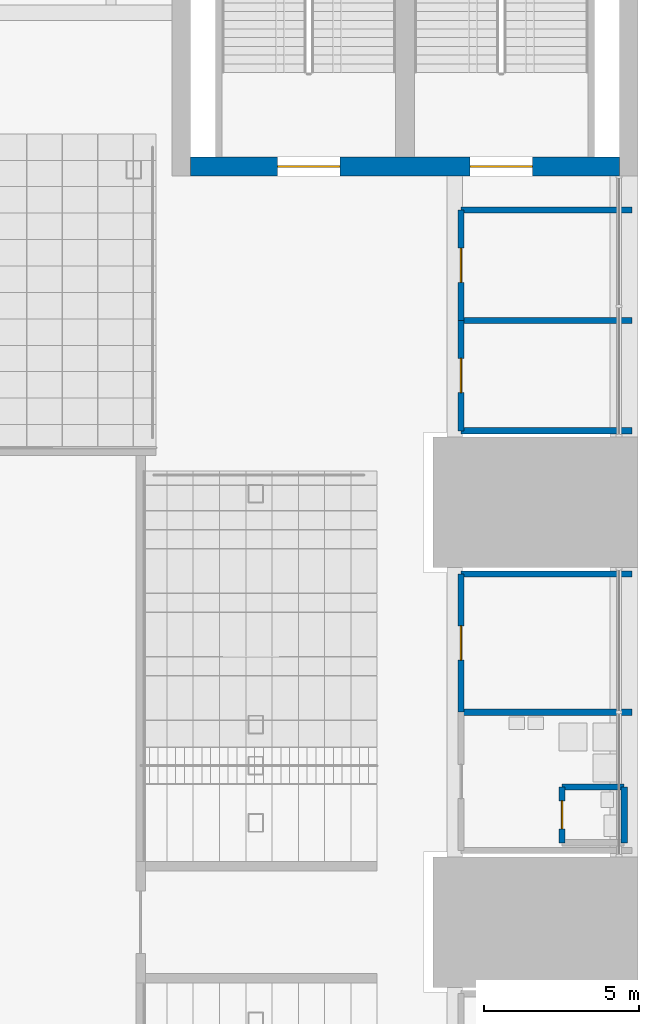
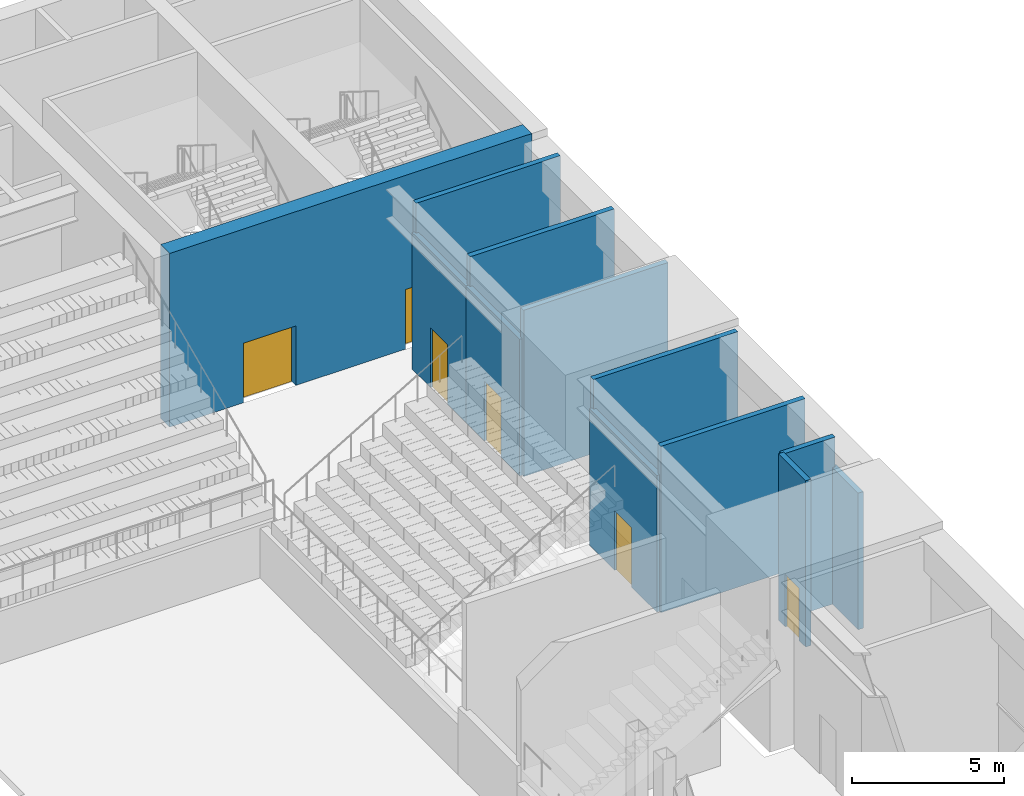
# One storey, part 38 of 62: 12 walls, 6 doors, 6 openings.
"""IFC4 building model written with IfcOpenShell, lengths in metres."""

from ifc_helpers import new_model, si_unit, direction, frame, frame_2d, origin, place, context, subcontext, project, spatial, rectangle, extrude, material, layer, layer_set, type_object, element, fill, save


model = new_model("IFC4")

# Units and contexts
model_context = context("Model", 3, precision=1e-05, world=origin(), true_north=direction((0.0, 1.0)))
body_context = subcontext(model_context, "Body", "Model", "MODEL_VIEW")
ifc_project = project(units=[si_unit("LENGTHUNIT", "METRE"), si_unit("AREAUNIT", "SQUARE_METRE"), si_unit("VOLUMEUNIT", "CUBIC_METRE"), si_unit("PLANEANGLEUNIT", "RADIAN"), si_unit("MASSUNIT", "GRAM", prefix="KILO")], contexts=[model_context])

# Site, building, storey
site_placement = place(None, origin())
site = spatial("IfcSite", under=ifc_project, at=site_placement, CompositionType="ELEMENT")
building_placement = place(site_placement, origin())
building = spatial("IfcBuilding", under=site, at=building_placement, Name="Corbelhall Arena Tower", CompositionType="ELEMENT")
storey_placement = place(building_placement, frame((0.0, 0.0, 12.0)))
storey = spatial("IfcBuildingStorey", under=building, at=storey_placement, Name="L01", CompositionType="ELEMENT", Elevation=12.0)

# Walls
ifc_material_1 = material(Name="Gypsum board on steel studs", Category="steel")
ifc_layer_1 = layer(ifc_material_1, 0.199951171875)
ifc_layer_set_1 = layer_set([ifc_layer_1], Name="AR-ROOM-WALL")
wall_type_1 = type_object("IfcWallType", Name="AR-ROOM-WALL", PredefinedType="PARTITIONING", material=ifc_layer_set_1)
wall_1_placement = place(storey_placement, frame((42.300048828125, 6.75, 0.0), z_axis=(0.0, 0.0, 1.0), x_axis=(1.0, 0.0, 0.0)))
element("IfcWall", 1, at=wall_1_placement, inside=storey, type_object=wall_type_1, Name="Team locker room 1 partition", PredefinedType="PARTITIONING", context=body_context, shape_type="SweptSolid", body=[
    extrude(rectangle(XDim=5.5, YDim=0.199951171875, at=frame_2d((2.75, 0.0))), origin(), (0.0, 0.0, 1.0), 6.699951171875),
])
wall_2_placement = place(storey_placement, frame((47.550048828125, 4.35009765625, 0.0), z_axis=(0.0, 0.0, 1.0), x_axis=(-1.0, 0.0, 0.0)))
element("IfcWall", 2, at=wall_2_placement, inside=storey, type_object=wall_type_1, Name="Team WC 1 wall", PredefinedType="PARTITIONING", context=body_context, shape_type="SweptSolid", body=[
    extrude(rectangle(XDim=2.0, YDim=0.199951171875, at=frame_2d((1.0, 0.0))), origin(), (0.0, 0.0, 1.0), 6.699951171875),
])

# Wall, opening, door
wall_3_placement = place(storey_placement, frame((45.550048828125, 2.550048828125, 0.0), z_axis=(0.0, 0.0, 1.0), x_axis=(0.0, 1.0, 0.0)))
wall_3 = element("IfcWall", 3, at=wall_3_placement, inside=storey, type_object=wall_type_1, Name="Team WC 1 wall", PredefinedType="PARTITIONING", context=body_context, shape_type="SweptSolid", body=[
    extrude(rectangle(XDim=1.800048828125, YDim=0.199951171875, at=frame_2d((0.89990234375, 0.0))), origin(), (0.0, 0.0, 1.0), 6.699951171875),
])
opening_1_placement = place(wall_3_placement, frame((0.449951171875, 0.0, 0.0)))
opening_1 = element("IfcOpeningElement", 4, at=opening_1_placement, cuts=wall_3, Name="Opening DA0342", PredefinedType="OPENING", context=body_context, shape_type="SweptSolid", body=[
    extrude(rectangle(XDim=0.89990234375, YDim=2.10009765625, at=frame_2d((0.449951171875, 1.050048828125))), frame((0.0, 0.10009765625, 0.0), z_axis=(0.0, -1.0, 0.0), x_axis=(1.0, 0.0, 0.0)), (0.0, 0.0, 1.0), 0.199951171875),
])
ifc_material_2 = material(Name="Timber", Category="wood")
door_type_1 = type_object("IfcDoorType", Name="AR-CELL-DOOR", OperationType="SINGLE_SWING_LEFT", PredefinedType="DOOR", material=ifc_material_2)
door_1_placement = place(opening_1_placement, origin())
door_1 = element("IfcDoor", 5, at=door_1_placement, inside=storey, type_object=door_type_1, Name="Team WC 1 door", OperationType="SINGLE_SWING_LEFT", OverallHeight=2.10009765625, OverallWidth=0.89990234375, PredefinedType="DOOR", context=body_context, shape_type="SweptSolid", body=[
    extrude(rectangle(XDim=0.89990234375, YDim=2.10009765625, at=frame_2d((0.449951171875, 1.050048828125))), frame((0.0, 0.02490234375, 0.0), z_axis=(0.0, -1.0, 0.0), x_axis=(1.0, 0.0, 0.0)), (0.0, 0.0, 1.0), 0.050048828125),
])
fill(opening_1, door_1)

# Walls
for number, where, z_axis, x_axis, name in (
    (6, (42.300048828125, 11.199951171875, 0.0), (0.0, 0.0, 1.0), (1.0, 0.0, 0.0), "Officials and referees room 1 end wall"),
    (7, (42.300048828125, 15.800048828125, 0.0), (0.0, 0.0, 1.0), (1.0, 0.0, 0.0), "Event staff room 1 end wall"),
    (8, (42.300048828125, 19.35009765625, 0.0), (0.0, 0.0, 1.0), (1.0, 0.0, 0.0), "Event staff room 1 partition"),
    (9, (42.300048828125, 22.89990234375, 0.0), (0.0, 0.0, 1.0), (1.0, 0.0, 0.0), "Production control room 1 end wall"),
):
    element("IfcWall", number, at=place(storey_placement, frame(where, z_axis=z_axis, x_axis=x_axis)), inside=storey, type_object=wall_type_1, Name=name, PredefinedType="PARTITIONING", context=body_context, shape_type="SweptSolid", body=[
        extrude(rectangle(XDim=5.5, YDim=0.199951171875, at=frame_2d((2.75, 0.0))), origin(), (0.0, 0.0, 1.0), 6.699951171875),
    ])
ifc_layer_2 = layer(ifc_material_1, 0.199951171875)
ifc_layer_set_2 = layer_set([ifc_layer_2], Name="AR-ROOM-WALL under beam 1200 mm")
wall_type_2 = type_object("IfcWallType", Name="AR-ROOM-WALL under beam 1200 mm", PredefinedType="PARTITIONING", material=ifc_layer_set_2)
wall_4_placement = place(storey_placement, frame((47.550048828125, 2.550048828125, 0.0), z_axis=(0.0, 0.0, 1.0), x_axis=(0.0, 1.0, 0.0)))
element("IfcWall", 10, at=wall_4_placement, inside=storey, type_object=wall_type_2, Name="Team WC 1 wall", PredefinedType="PARTITIONING", context=body_context, shape_type="SweptSolid", body=[
    extrude(rectangle(XDim=1.800048828125, YDim=0.199951171875, at=frame_2d((0.89990234375, 0.0))), origin(), (0.0, 0.0, 1.0), 5.5),
])

# Wall, opening, door
wall_5_placement = place(storey_placement, frame((42.300048828125, 6.75, 0.0), z_axis=(0.0, 0.0, 1.0), x_axis=(0.0, 1.0, 0.0)))
wall_5 = element("IfcWall", 11, at=wall_5_placement, inside=storey, type_object=wall_type_2, Name="Officials and referees room 1 wall", PredefinedType="PARTITIONING", context=body_context, shape_type="SweptSolid", body=[
    extrude(rectangle(XDim=4.449951171875, YDim=0.199951171875, at=frame_2d((2.22509765625, 0.0))), origin(), (0.0, 0.0, 1.0), 5.5),
])
opening_2_placement = place(wall_5_placement, frame((1.675048828125, 0.0, 0.0)))
opening_2 = element("IfcOpeningElement", 12, at=opening_2_placement, cuts=wall_5, Name="Opening DA0343", PredefinedType="OPENING", context=body_context, shape_type="SweptSolid", body=[
    extrude(rectangle(XDim=1.10009765625, YDim=2.39990234375, at=frame_2d((0.550048828125, 1.199951171875))), frame((0.0, 0.10009765625, 0.0), z_axis=(0.0, -1.0, 0.0), x_axis=(1.0, 0.0, 0.0)), (0.0, 0.0, 1.0), 0.199951171875),
])
door_type_2 = type_object("IfcDoorType", Name="AR-ROOM-DOOR", OperationType="DOUBLE_DOOR_SINGLE_SWING", PredefinedType="DOOR", material=ifc_material_2)
door_2_placement = place(opening_2_placement, origin())
door_2 = element("IfcDoor", 13, at=door_2_placement, inside=storey, type_object=door_type_2, Name="Officials and referees room 1 door", OperationType="DOUBLE_DOOR_SINGLE_SWING", OverallHeight=2.39990234375, OverallWidth=1.10009765625, PredefinedType="DOOR", context=body_context, shape_type="SweptSolid", body=[
    extrude(rectangle(XDim=1.10009765625, YDim=2.39990234375, at=frame_2d((0.550048828125, 1.199951171875))), frame((0.0, 0.02490234375, 0.0), z_axis=(0.0, -1.0, 0.0), x_axis=(1.0, 0.0, 0.0)), (0.0, 0.0, 1.0), 0.050048828125),
])
fill(opening_2, door_2)

wall_6_placement = place(storey_placement, frame((42.300048828125, 15.800048828125, 0.0), z_axis=(0.0, 0.0, 1.0), x_axis=(0.0, 1.0, 0.0)))
wall_6 = element("IfcWall", 14, at=wall_6_placement, inside=storey, type_object=wall_type_2, Name="Event staff room 1 wall", PredefinedType="PARTITIONING", context=body_context, shape_type="SweptSolid", body=[
    extrude(rectangle(XDim=3.550048828125, YDim=0.199951171875, at=frame_2d((1.77490234375, 0.0))), origin(), (0.0, 0.0, 1.0), 5.5),
])
opening_3_placement = place(wall_6_placement, frame((1.22509765625, 0.0, 0.0)))
opening_3 = element("IfcOpeningElement", 15, at=opening_3_placement, cuts=wall_6, Name="Opening DA0346", PredefinedType="OPENING", context=body_context, shape_type="SweptSolid", body=[
    extrude(rectangle(XDim=1.10009765625, YDim=2.39990234375, at=frame_2d((0.550048828125, 1.199951171875))), frame((0.0, 0.10009765625, 0.0), z_axis=(0.0, -1.0, 0.0), x_axis=(1.0, 0.0, 0.0)), (0.0, 0.0, 1.0), 0.199951171875),
])
door_3_placement = place(opening_3_placement, origin())
door_3 = element("IfcDoor", 16, at=door_3_placement, inside=storey, type_object=door_type_2, Name="Event staff room 1 door", OperationType="DOUBLE_DOOR_SINGLE_SWING", OverallHeight=2.39990234375, OverallWidth=1.10009765625, PredefinedType="DOOR", context=body_context, shape_type="SweptSolid", body=[
    extrude(rectangle(XDim=1.10009765625, YDim=2.39990234375, at=frame_2d((0.550048828125, 1.199951171875))), frame((0.0, 0.02490234375, 0.0), z_axis=(0.0, -1.0, 0.0), x_axis=(1.0, 0.0, 0.0)), (0.0, 0.0, 1.0), 0.050048828125),
])
fill(opening_3, door_3)

wall_7_placement = place(storey_placement, frame((42.300048828125, 19.35009765625, 0.0), z_axis=(0.0, 0.0, 1.0), x_axis=(0.0, 1.0, 0.0)))
wall_7 = element("IfcWall", 17, at=wall_7_placement, inside=storey, type_object=wall_type_2, Name="Production control room 1 wall", PredefinedType="PARTITIONING", context=body_context, shape_type="SweptSolid", body=[
    extrude(rectangle(XDim=3.5498046875, YDim=0.199951171875, at=frame_2d((1.77490234375, 0.0))), origin(), (0.0, 0.0, 1.0), 5.5),
])
opening_4_placement = place(wall_7_placement, frame((1.22509765625, 0.0, 0.0)))
opening_4 = element("IfcOpeningElement", 18, at=opening_4_placement, cuts=wall_7, Name="Opening DA0347", PredefinedType="OPENING", context=body_context, shape_type="SweptSolid", body=[
    extrude(rectangle(XDim=1.10009765625, YDim=2.39990234375, at=frame_2d((0.550048828125, 1.199951171875))), frame((0.0, 0.10009765625, 0.0), z_axis=(0.0, -1.0, 0.0), x_axis=(1.0, 0.0, 0.0)), (0.0, 0.0, 1.0), 0.199951171875),
])
door_4_placement = place(opening_4_placement, origin())
door_4 = element("IfcDoor", 19, at=door_4_placement, inside=storey, type_object=door_type_2, Name="Production control room 1 door", OperationType="DOUBLE_DOOR_SINGLE_SWING", OverallHeight=2.39990234375, OverallWidth=1.10009765625, PredefinedType="DOOR", context=body_context, shape_type="SweptSolid", body=[
    extrude(rectangle(XDim=1.10009765625, YDim=2.39990234375, at=frame_2d((0.550048828125, 1.199951171875))), frame((0.0, 0.02490234375, 0.0), z_axis=(0.0, -1.0, 0.0), x_axis=(1.0, 0.0, 0.0)), (0.0, 0.0, 1.0), 0.050048828125),
])
fill(opening_4, door_4)

# Wall, openings, doors
ifc_material_3 = material(Name="Concrete C80/95", Category="concrete")
ifc_layer_3 = layer(ifc_material_3, 0.60009765625)
ifc_layer_set_3 = layer_set([ifc_layer_3], Name="PO-CORE-WALL")
wall_type_3 = type_object("IfcWallType", Name="PO-CORE-WALL", PredefinedType="SHEAR", material=ifc_layer_set_3)
wall_8_placement = place(storey_placement, frame((33.60009765625, 24.300048828125, 0.0), z_axis=(0.0, 0.0, 1.0), x_axis=(1.0, 0.0, 0.0)))
wall_8 = element("IfcWall", 20, at=wall_8_placement, inside=storey, type_object=wall_type_3, Name="CORE NE WALL S L01", PredefinedType="SHEAR", context=body_context, shape_type="SweptSolid", body=[
    extrude(rectangle(XDim=13.7998046875, YDim=0.60009765625, at=frame_2d((6.89990234375, 0.0))), origin(), (0.0, 0.0, 1.0), 7.0),
])
opening_5_placement = place(wall_8_placement, frame((2.804931640625, 0.0, 0.0)))
opening_5 = element("IfcOpeningElement", 21, at=opening_5_placement, cuts=wall_8, Name="Opening DA0054", PredefinedType="OPENING", context=body_context, shape_type="SweptSolid", body=[
    extrude(rectangle(XDim=2.0, YDim=2.39990234375, at=frame_2d((1.0, 1.199951171875))), frame((0.0, 0.300048828125, 0.0), z_axis=(0.0, -1.0, 0.0), x_axis=(1.0, 0.0, 0.0)), (0.0, 0.0, 1.0), 0.60009765625),
])
opening_6_placement = place(wall_8_placement, frame((8.9951171875, 0.0, 0.0)))
opening_6 = element("IfcOpeningElement", 22, at=opening_6_placement, cuts=wall_8, Name="Opening DA0062", PredefinedType="OPENING", context=body_context, shape_type="SweptSolid", body=[
    extrude(rectangle(XDim=2.0, YDim=2.39990234375, at=frame_2d((1.0, 1.199951171875))), frame((0.0, 0.300048828125, 0.0), z_axis=(0.0, -1.0, 0.0), x_axis=(1.0, 0.0, 0.0)), (0.0, 0.0, 1.0), 0.60009765625),
])
ifc_material_4 = material(Name="Steel and glass", Category="steel")
door_type_3 = type_object("IfcDoorType", Name="AR-STAIR-DOOR", OperationType="DOUBLE_DOOR_SINGLE_SWING", PredefinedType="DOOR", material=ifc_material_4)
door_5_placement = place(opening_5_placement, origin())
door_5 = element("IfcDoor", 23, at=door_5_placement, inside=storey, type_object=door_type_3, Name="Stair AS1 door", OperationType="DOUBLE_DOOR_SINGLE_SWING", OverallHeight=2.39990234375, OverallWidth=2.0, PredefinedType="DOOR", context=body_context, shape_type="SweptSolid", body=[
    extrude(rectangle(XDim=2.0, YDim=2.39990234375, at=frame_2d((1.0, 1.199951171875))), frame((0.0, 0.02490234375, 0.0), z_axis=(0.0, -1.0, 0.0), x_axis=(1.0, 0.0, 0.0)), (0.0, 0.0, 1.0), 0.050048828125),
])
fill(opening_5, door_5)
door_6_placement = place(opening_6_placement, origin())
door_6 = element("IfcDoor", 24, at=door_6_placement, inside=storey, type_object=door_type_3, Name="Stair AS2 door", OperationType="DOUBLE_DOOR_SINGLE_SWING", OverallHeight=2.39990234375, OverallWidth=2.0, PredefinedType="DOOR", context=body_context, shape_type="SweptSolid", body=[
    extrude(rectangle(XDim=2.0, YDim=2.39990234375, at=frame_2d((1.0, 1.199951171875))), frame((0.0, 0.02490234375, 0.0), z_axis=(0.0, -1.0, 0.0), x_axis=(1.0, 0.0, 0.0)), (0.0, 0.0, 1.0), 0.050048828125),
])
fill(opening_6, door_6)

save(model, "model.ifc")
